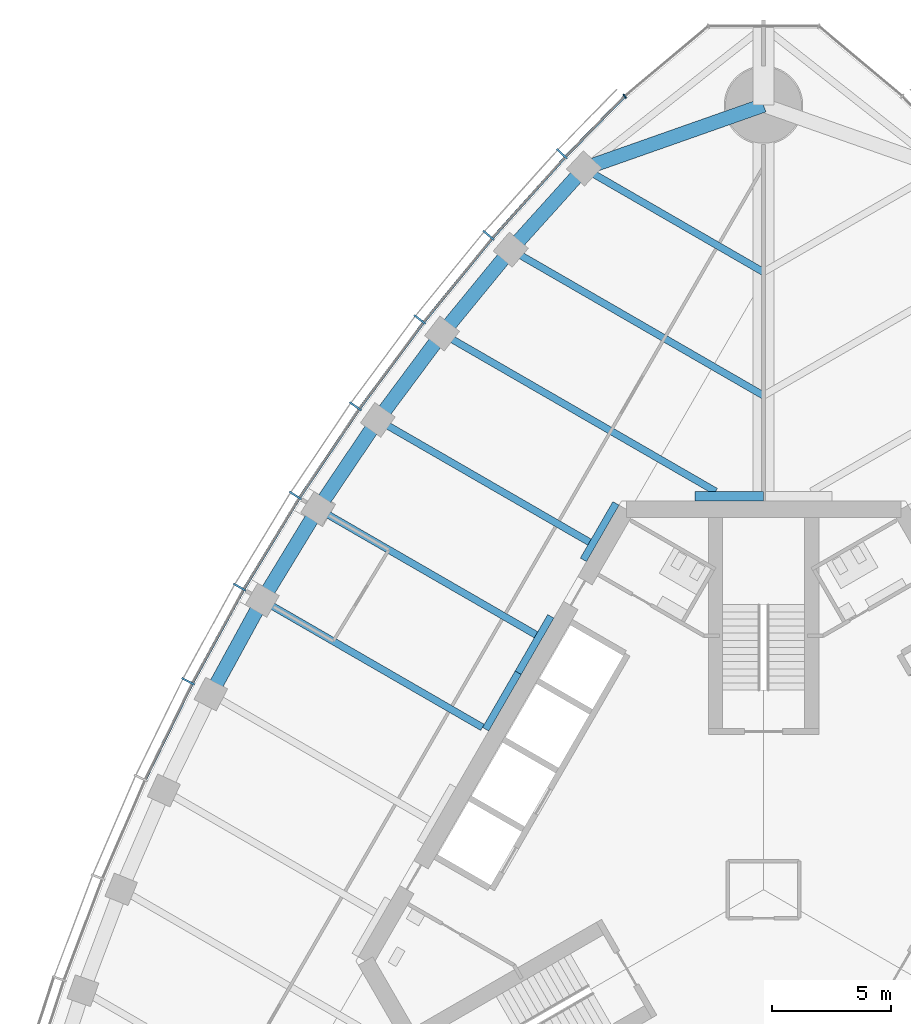
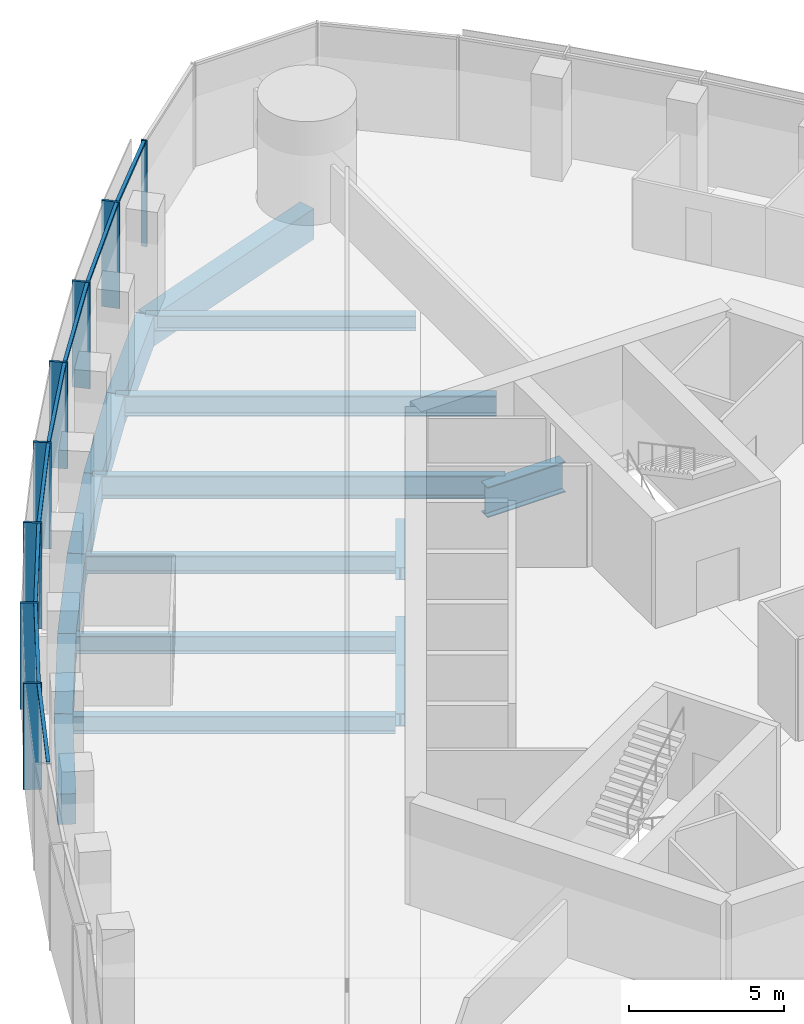
# One storey, part 5 of 20: 17 beams, 16 members, 2 elements without a shape of their own.
"""IFC4 building model written with IfcOpenShell, lengths in metres."""

import ifcopenshell
import ifcopenshell.guid

model = None  # the IFC model being written
_history = None  # IfcOwnerHistory: only IFC2X3 demands one
_inside = {}  # id of a spatial element -> (the spatial element, [elements in it])
_under = {}  # id of a project, library or spatial element -> (it, [spatial elements below it])
_declared = {}  # id of a project -> (the project, [libraries it declares])
_typed = {}  # id of a type object -> (the type object, [elements of that type])
_made_of = {}  # id of a material, layer set ... -> (it, [elements and type objects made of it])


def new_model(schema):
    """Start an empty IFC model of exactly this schema.

    Asked for "IFC4X3", IfcOpenShell would pick the latest addendum, in which some entities
    have other attributes; the version numbers below select the first issue.
    IFC2X3 requires an IfcOwnerHistory on every rooted entity: one is made here for all.
    """
    global model, _history
    if schema == "IFC4X3":
        model = ifcopenshell.file(schema_version=(4, 3, 0, 0))
    else:
        model = ifcopenshell.file(schema=schema)
    _inside.clear()
    _under.clear()
    _declared.clear()
    _typed.clear()
    _made_of.clear()
    _history = None
    if model.schema == "IFC2X3":
        org = make("IfcOrganization", Name="unknown")
        user = make(
            "IfcPersonAndOrganization",
            ThePerson=make("IfcPerson", FamilyName="unknown"),
            TheOrganization=org,
        )
        app = make(
            "IfcApplication",
            ApplicationDeveloper=org,
            Version="unknown",
            ApplicationFullName="unknown",
            ApplicationIdentifier="unknown",
        )
        _history = make(
            "IfcOwnerHistory",
            OwningUser=user,
            OwningApplication=app,
            ChangeAction="ADDED",
            CreationDate=0,
        )
    return model


def make(cls, **values):
    """One entity of the class cls with the attributes given. An attribute that is None is left unset."""
    return model.create_entity(
        cls, **{name: value for name, value in values.items() if value is not None}
    )


def rooted(cls, **values):
    """An entity with a GlobalId (a new one), such as an element, a storey or a relation."""
    return make(cls, GlobalId=ifcopenshell.guid.new(), OwnerHistory=_history, **values)


def si_unit(unit_type, name, prefix=None):
    """IfcSIUnit, for example si_unit("LENGTHUNIT", "METRE", prefix="MILLI")."""
    return make("IfcSIUnit", UnitType=unit_type, Prefix=prefix, Name=name)


def assignment(units):
    """IfcUnitAssignment: the units of a project."""
    return None if units is None else make("IfcUnitAssignment", Units=units)


def point(xyz):
    """IfcCartesianPoint."""
    return None if xyz is None else make("IfcCartesianPoint", Coordinates=xyz)


def direction(xyz):
    """IfcDirection."""
    return None if xyz is None else make("IfcDirection", DirectionRatios=xyz)


def frame(location, z_axis=None, x_axis=None):
    """IfcAxis2Placement3D, a coordinate frame: its origin and axes. An axis left out is left unset."""
    return make(
        "IfcAxis2Placement3D",
        Location=point(location),
        Axis=direction(z_axis),
        RefDirection=direction(x_axis),
    )


def frame_2d(location, x_axis=None):
    """IfcAxis2Placement2D, a coordinate frame in the plane: its origin and x axis."""
    return make(
        "IfcAxis2Placement2D", Location=point(location), RefDirection=direction(x_axis)
    )


def origin():
    """The frame at (0, 0, 0) with its axes left unset."""
    return frame((0.0, 0.0, 0.0))


def origin_2d():
    """The frame at (0, 0) in the plane with its x axis left unset."""
    return frame_2d((0.0, 0.0))


def place(relative_to, where):
    """IfcLocalPlacement: puts the frame where relative to a parent placement (None: the world)."""
    return make(
        "IfcLocalPlacement", PlacementRelTo=relative_to, RelativePlacement=where
    )


def context(
    kind, dimensions, precision=None, world=None, true_north=None, identifier=None
):
    """IfcGeometricRepresentationContext, for example the 3D "Model" context."""
    return make(
        "IfcGeometricRepresentationContext",
        ContextIdentifier=identifier,
        ContextType=kind,
        CoordinateSpaceDimension=dimensions,
        Precision=precision,
        WorldCoordinateSystem=world,
        TrueNorth=true_north,
    )


def subcontext(parent, identifier, kind, view, scale=None):
    """IfcGeometricRepresentationSubContext, for example "Body" below "Model"."""
    return make(
        "IfcGeometricRepresentationSubContext",
        ContextIdentifier=identifier,
        ContextType=kind,
        ParentContext=parent,
        TargetScale=scale,
        TargetView=view,
    )


def project(units=None, contexts=None):
    """IfcProject with its units and contexts."""
    return rooted(
        "IfcProject",
        Name="project",
        RepresentationContexts=contexts,
        UnitsInContext=assignment(units),
    )


def spatial(cls, under=None, at=None, **own):
    """A site, building, storey or space (cls), placed at a placement, below another one or the project."""
    s = rooted(cls, ObjectPlacement=at, **own)
    if under is not None:
        _under.setdefault(under.id(), (under, []))[1].append(s)
    return s


def profile(cls, at=None, kind="AREA", **sizes):
    """A parametric profile (cls). Its sizes go by their IFC names, for example OverallWidth=200.0."""
    return make(cls, ProfileType=kind, Position=at, **sizes)


def rectangle(**sizes):
    """IfcRectangleProfileDef."""
    return profile("IfcRectangleProfileDef", **sizes)


def i_section(**sizes):
    """IfcIShapeProfileDef."""
    return profile("IfcIShapeProfileDef", **sizes)


def extrude(swept, where, along, depth):
    """IfcExtrudedAreaSolid: the profile swept, set in the frame where, extruded along a direction by depth."""
    return make(
        "IfcExtrudedAreaSolid",
        SweptArea=swept,
        Position=where,
        ExtrudedDirection=direction(along),
        Depth=depth,
    )


def shape(context_of_items, identifier, shape_type, items):
    """IfcShapeRepresentation: the items that make up one representation, for example the "Body"."""
    return make(
        "IfcShapeRepresentation",
        ContextOfItems=context_of_items,
        RepresentationIdentifier=identifier,
        RepresentationType=shape_type,
        Items=items,
    )


def material(Name=None, Category=None):
    """IfcMaterial."""
    return make("IfcMaterial", Name=Name, Category=Category)


def material_profile(
    of_material, cross_section, Name=None, Category=None, Priority=None
):
    """IfcMaterialProfile: a cross section and its material."""
    return make(
        "IfcMaterialProfile",
        Name=Name,
        Material=of_material,
        Profile=cross_section,
        Priority=Priority,
        Category=Category,
    )


def profile_set(profiles, Name=None, composite=None):
    """IfcMaterialProfileSet."""
    return make(
        "IfcMaterialProfileSet",
        Name=Name,
        MaterialProfiles=profiles,
        CompositeProfile=composite,
    )


def made_of(thing, what):
    """Note that an element or type object is made of a material, layer set ...; save() writes the relation."""
    if what is not None:
        _made_of.setdefault(what.id(), (what, []))[1].append(thing)
    return thing


def type_object(cls, material=None, **own):
    """A type object (cls), such as IfcWallType, which elements share."""
    return made_of(rooted(cls, **own), material)


def element(
    cls,
    number,
    at=None,
    inside=None,
    cuts=None,
    type_object=None,
    material=None,
    context=None,
    identifier="Body",
    shape_type=None,
    held_by="IfcProductDefinitionShape",
    body=None,
    shapes=None,
    **own,
):
    """One element of the class cls, such as IfcWall. Its Tag is "e" and its number.

    at: its placement. inside: the storey or other place that contains it. cuts: it is an
    opening in that element (IfcRelVoidsElement). A single representation is given by context,
    identifier, shape_type and body (its items); several are given by shapes. held_by: the class
    of the entity that holds the representations. save() writes the other relations.
    """
    e = rooted(cls, Tag="e%d" % number, ObjectPlacement=at, **own)
    if body is not None:
        shapes = [shape(context, identifier, shape_type, body)]
    if shapes is not None:
        e.Representation = make(held_by, Representations=shapes)
    if inside is not None:
        _inside.setdefault(inside.id(), (inside, []))[1].append(e)
    if cuts is not None:
        rooted(
            "IfcRelVoidsElement", RelatingBuildingElement=cuts, RelatedOpeningElement=e
        )
    if type_object is not None:
        _typed.setdefault(type_object.id(), (type_object, []))[1].append(e)
    return made_of(e, material)


def aggregate(whole, parts):
    """IfcRelAggregates: a whole, such as a stair, and the parts it consists of."""
    return rooted("IfcRelAggregates", RelatingObject=whole, RelatedObjects=parts)


def save(model, path):
    """Write the relations noted so far, then the file.

    IfcRelAggregates (storeys below a building ...), IfcRelContainedInSpatialStructure (elements
    in a storey), IfcRelDefinesByType, IfcRelAssociatesMaterial and IfcRelDeclares: one each for
    every whole, place, type object, material and project.
    """
    for whole, parts in _under.values():
        aggregate(whole, parts)
    for where, things in _inside.values():
        rooted(
            "IfcRelContainedInSpatialStructure",
            RelatedElements=things,
            RelatingStructure=where,
        )
    for kind, things in _typed.values():
        rooted("IfcRelDefinesByType", RelatedObjects=things, RelatingType=kind)
    for what, things in _made_of.values():
        rooted("IfcRelAssociatesMaterial", RelatedObjects=things, RelatingMaterial=what)
    for by, libraries in _declared.values():
        rooted("IfcRelDeclares", RelatingContext=by, RelatedDefinitions=libraries)
    model.write(path)


model = new_model("IFC4")

# Units and contexts
model_context = context("Model", 3, precision=1e-05, world=origin(), true_north=direction((0.0, 1.0)))
body_context = subcontext(model_context, "Body", "Model", "MODEL_VIEW")
ifc_project = project(units=[si_unit("LENGTHUNIT", "METRE"), si_unit("AREAUNIT", "SQUARE_METRE"), si_unit("VOLUMEUNIT", "CUBIC_METRE"), si_unit("PLANEANGLEUNIT", "RADIAN"), si_unit("MASSUNIT", "GRAM", prefix="KILO")], contexts=[model_context])

# Site, building, storey
site_placement = place(None, origin())
site = spatial("IfcSite", under=ifc_project, at=site_placement, CompositionType="ELEMENT")
building_placement = place(site_placement, origin())
building = spatial("IfcBuilding", under=site, at=building_placement, Name="Trefoil Bronze Tower", CompositionType="ELEMENT")
storey_placement = place(building_placement, frame((0.0, 0.0, 231.699951171875)))
storey = spatial("IfcBuildingStorey", under=building, at=storey_placement, Name="L53", CompositionType="ELEMENT", Elevation=231.699951171875)

# Curtain wall, members
ifc_material_1 = material(Name="Tinted solar-control glass", Category="glass")
curtain_wall_type_1 = type_object("IfcCurtainWallType", Name="Bronze office curtain wall", PredefinedType="USERDEFINED", material=ifc_material_1)
curtain_wall_1_placement = place(storey_placement, origin())
curtain_wall_1 = element("IfcCurtainWall", 1, at=curtain_wall_1_placement, inside=storey, type_object=curtain_wall_type_1, Name="CW-A L53 F3", ObjectType="CURTAIN WALL", PredefinedType="USERDEFINED")
ifc_material_2 = material(Name="Bronze-finish aluminium", Category="aluminium")
ifc_material_profile_1 = material_profile(ifc_material_2, rectangle(XDim=0.60009765625, YDim=0.080078125, at=origin_2d()), Name="CW-A mullion")
ifc_profile_set_1 = profile_set([ifc_material_profile_1], Name="Bronze-finish aluminium")
member_type_1 = type_object("IfcMemberType", Name="Bronze office curtain wall mullion", PredefinedType="MULLION", material=ifc_profile_set_1)
member_1_placement = place(storey_placement, frame((-8.482177734375, 30.95654296875, 0.0), z_axis=(0.0, 0.0, 1.0), x_axis=(0.729859580661, -0.683597098091, 0.0)))
member_1 = element("IfcMember", 2, at=member_1_placement, type_object=member_type_1, Name="CW-A L53 F3 mullion 2", PredefinedType="MULLION", context=body_context, shape_type="SweptSolid", body=[
    extrude(rectangle(XDim=0.60009765625, YDim=0.080078125, at=origin_2d()), origin(), (0.0, 0.0, 1.0), 4.179931640625),
])
member_2_placement = place(storey_placement, frame((-11.564697265625, 27.525146484375, 0.0), z_axis=(0.0, 0.0, 1.0), x_axis=(0.75935470958, -0.650676897576, 0.0)))
member_2 = element("IfcMember", 3, at=member_2_placement, type_object=member_type_1, Name="CW-A L53 F3 mullion 3", PredefinedType="MULLION", context=body_context, shape_type="SweptSolid", body=[
    extrude(rectangle(XDim=0.60009765625, YDim=0.080078125, at=origin_2d()), origin(), (0.0, 0.0, 1.0), 4.179931640625),
])
member_3_placement = place(storey_placement, frame((-14.45849609375, 23.98388671875, 0.0), z_axis=(0.0, 0.0, 1.0), x_axis=(0.788821461078, -0.614622406476, 0.0)))
member_3 = element("IfcMember", 4, at=member_3_placement, type_object=member_type_1, Name="CW-A L53 F3 mullion 4", PredefinedType="MULLION", context=body_context, shape_type="SweptSolid", body=[
    extrude(rectangle(XDim=0.60009765625, YDim=0.080078125, at=origin_2d()), origin(), (0.0, 0.0, 1.0), 4.179931640625),
])
member_4_placement = place(storey_placement, frame((-17.167236328125, 20.335693359375, 0.0), z_axis=(0.0, 0.0, 1.0), x_axis=(0.81640398396, -0.577481198806, 0.0)))
member_4 = element("IfcMember", 5, at=member_4_placement, type_object=member_type_1, Name="CW-A L53 F3 mullion 5", PredefinedType="MULLION", context=body_context, shape_type="SweptSolid", body=[
    extrude(rectangle(XDim=0.60009765625, YDim=0.080078125, at=origin_2d()), origin(), (0.0, 0.0, 1.0), 4.179931640625),
])
member_5_placement = place(storey_placement, frame((-19.694091796875, 16.58251953125, 0.0), z_axis=(0.0, 0.0, 1.0), x_axis=(0.842132664593, -0.539270410114, 0.0)))
member_5 = element("IfcMember", 6, at=member_5_placement, type_object=member_type_1, Name="CW-A L53 F3 mullion 6", PredefinedType="MULLION", context=body_context, shape_type="SweptSolid", body=[
    extrude(rectangle(XDim=0.60009765625, YDim=0.080078125, at=origin_2d()), origin(), (0.0, 0.0, 1.0), 4.179931640625),
])
member_6_placement = place(storey_placement, frame((-22.041015625, 12.725341796875, 0.0), z_axis=(0.0, 0.0, 1.0), x_axis=(0.866025403784, -0.5, 0.0)))
member_6 = element("IfcMember", 7, at=member_6_placement, type_object=member_type_1, Name="CW-A L53 F3 mullion 7", PredefinedType="MULLION", context=body_context, shape_type="SweptSolid", body=[
    extrude(rectangle(XDim=0.60009765625, YDim=0.080078125, at=origin_2d()), origin(), (0.0, 0.0, 1.0), 4.179931640625),
])
member_7_placement = place(storey_placement, frame((-24.2080078125, 8.764404296875, 0.0), z_axis=(0.0, 0.0, 1.0), x_axis=(0.888088206965, -0.459673075837, 0.0)))
member_7 = element("IfcMember", 8, at=member_7_placement, type_object=member_type_1, Name="CW-A L53 F3 mullion 8", PredefinedType="MULLION", context=body_context, shape_type="SweptSolid", body=[
    extrude(rectangle(XDim=0.60009765625, YDim=0.080078125, at=origin_2d()), origin(), (0.0, 0.0, 1.0), 4.179931640625),
])
ifc_material_3 = material(Name="Bronze-finish aluminium", Category="aluminium")
ifc_material_profile_2 = material_profile(ifc_material_3, rectangle(XDim=0.1201171875, YDim=0.10009765625, at=origin_2d()), Name="CW-A transom")
ifc_profile_set_2 = profile_set([ifc_material_profile_2], Name="Bronze-finish aluminium")
member_type_2 = type_object("IfcMemberType", Name="Bronze office curtain wall transom", PredefinedType="USERDEFINED", material=ifc_profile_set_2)
member_8_placement = place(storey_placement, frame((-5.873046875, 33.342529296875, 4.130126953125), z_axis=(-0.698646935368, -0.715466602785, 0.0), x_axis=(0.715466602785, -0.698646935368, 0.0)))
member_8 = element("IfcMember", 9, at=member_8_placement, type_object=member_type_2, Name="CW-A L53 F3 transom 1", ObjectType="TRANSOM", PredefinedType="USERDEFINED", context=body_context, shape_type="SweptSolid", body=[
    extrude(rectangle(XDim=0.1201171875, YDim=0.10009765625, at=origin_2d()), origin(), (0.0, 0.0, 1.0), 3.483642578125),
])
member_9_placement = place(storey_placement, frame((-8.364501953125, 30.78857421875, 4.130126953125), z_axis=(-0.66825109551, -0.743935799213, 0.0), x_axis=(0.743935799213, -0.66825109551, 0.0)))
member_9 = element("IfcMember", 10, at=member_9_placement, type_object=member_type_2, Name="CW-A L53 F3 transom 2", ObjectType="TRANSOM", PredefinedType="USERDEFINED", context=body_context, shape_type="SweptSolid", body=[
    extrude(rectangle(XDim=0.1201171875, YDim=0.10009765625, at=origin_2d()), origin(), (0.0, 0.0, 1.0), 4.519287109375),
])
member_10_placement = place(storey_placement, frame((-11.439453125, 27.3623046875, 4.130126953125), z_axis=(-0.632756871921, -0.774350528531, 0.0), x_axis=(0.774350528531, -0.632756871921, 0.0)))
member_10 = element("IfcMember", 11, at=member_10_placement, type_object=member_type_2, Name="CW-A L53 F3 transom 3", ObjectType="TRANSOM", PredefinedType="USERDEFINED", context=body_context, shape_type="SweptSolid", body=[
    extrude(rectangle(XDim=0.1201171875, YDim=0.10009765625, at=origin_2d()), origin(), (0.0, 0.0, 1.0), 4.4794921875),
])
member_11_placement = place(storey_placement, frame((-14.325927734375, 23.826904296875, 4.130126953125), z_axis=(-0.59614822717, -0.802874393191, 0.0), x_axis=(0.802874393191, -0.59614822717, 0.0)))
member_11 = element("IfcMember", 12, at=member_11_placement, type_object=member_type_2, Name="CW-A L53 F3 transom 4", ObjectType="TRANSOM", PredefinedType="USERDEFINED", context=body_context, shape_type="SweptSolid", body=[
    extrude(rectangle(XDim=0.1201171875, YDim=0.10009765625, at=origin_2d()), origin(), (0.0, 0.0, 1.0), 4.449951171875),
])
member_12_placement = place(storey_placement, frame((-17.027587890625, 20.18505859375, 4.130126953125), z_axis=(-0.558509087547, -0.829498402125, 0.0), x_axis=(0.829498402125, -0.558509087547, 0.0)))
member_12 = element("IfcMember", 13, at=member_12_placement, type_object=member_type_2, Name="CW-A L53 F3 transom 5", ObjectType="TRANSOM", PredefinedType="USERDEFINED", context=body_context, shape_type="SweptSolid", body=[
    extrude(rectangle(XDim=0.1201171875, YDim=0.10009765625, at=origin_2d()), origin(), (0.0, 0.0, 1.0), 4.4306640625),
])
member_13_placement = place(storey_placement, frame((-19.5478515625, 16.4384765625, 4.130126953125), z_axis=(-0.519740214649, -0.854324358354, 0.0), x_axis=(0.854324358354, -0.519740214649, 0.0)))
member_13 = element("IfcMember", 14, at=member_13_placement, type_object=member_type_2, Name="CW-A L53 F3 transom 6", ObjectType="TRANSOM", PredefinedType="USERDEFINED", context=body_context, shape_type="SweptSolid", body=[
    extrude(rectangle(XDim=0.1201171875, YDim=0.10009765625, at=origin_2d()), origin(), (0.0, 0.0, 1.0), 4.421142578125),
])
member_14_placement = place(storey_placement, frame((-21.887939453125, 12.588134765625, 4.130126953125), z_axis=(-0.479973729071, -0.877282861683, 0.0), x_axis=(0.877282861683, -0.479973729071, 0.0)))
member_14 = element("IfcMember", 15, at=member_14_placement, type_object=member_type_2, Name="CW-A L53 F3 transom 7", ObjectType="TRANSOM", PredefinedType="USERDEFINED", context=body_context, shape_type="SweptSolid", body=[
    extrude(rectangle(XDim=0.1201171875, YDim=0.10009765625, at=origin_2d()), origin(), (0.0, 0.0, 1.0), 4.421142578125),
])
member_15_placement = place(storey_placement, frame((-24.048828125, 8.634521484375, 4.130126953125), z_axis=(-0.439150835991, -0.898413347657, 0.0), x_axis=(0.898413347657, -0.439150835991, 0.0)))
member_15 = element("IfcMember", 16, at=member_15_placement, type_object=member_type_2, Name="CW-A L53 F3 transom 8", ObjectType="TRANSOM", PredefinedType="USERDEFINED", context=body_context, shape_type="SweptSolid", body=[
    extrude(rectangle(XDim=0.1201171875, YDim=0.10009765625, at=origin_2d()), origin(), (0.0, 0.0, 1.0), 4.430908203125),
])
aggregate(curtain_wall_1, [member_1, member_2, member_3, member_4, member_5, member_6, member_7, member_8, member_9, member_10, member_11, member_12, member_13, member_14, member_15])

# Curtain wall, member
ifc_material_4 = material(Name="Tinted solar-control glass", Category="glass")
curtain_wall_type_2 = type_object("IfcCurtainWallType", Name="Bronze rounded corner curtain wall", PredefinedType="USERDEFINED", material=ifc_material_4)
curtain_wall_2_placement = place(storey_placement, origin())
curtain_wall_2 = element("IfcCurtainWall", 17, at=curtain_wall_2_placement, inside=storey, type_object=curtain_wall_type_2, Name="CW-B L53 K2", ObjectType="CURTAIN WALL", PredefinedType="USERDEFINED")
ifc_material_5 = material(Name="Bronze-finish aluminium", Category="aluminium")
ifc_material_profile_3 = material_profile(ifc_material_5, rectangle(XDim=0.199951171875, YDim=0.06005859375, at=origin_2d()), Name="CW-B mullion")
ifc_profile_set_3 = profile_set([ifc_material_profile_3], Name="Bronze-finish aluminium")
member_type_3 = type_object("IfcMemberType", Name="Bronze rounded corner curtain wall mullion", PredefinedType="MULLION", material=ifc_profile_set_3)
member_16_placement = place(storey_placement, frame((-5.837890625, 33.3779296875, 0.0), z_axis=(0.0, 0.0, 1.0), x_axis=(0.642787609687, -0.766044443119, 0.0)))
member_16 = element("IfcMember", 18, at=member_16_placement, type_object=member_type_3, Name="CW-B L53 K2 mullion 4", PredefinedType="MULLION", context=body_context, shape_type="SweptSolid", body=[
    extrude(rectangle(XDim=0.199951171875, YDim=0.06005859375, at=origin_2d()), origin(), (0.0, 0.0, 1.0), 4.179931640625),
])
aggregate(curtain_wall_2, [member_16])

# Beams
ifc_material_6 = material(Name="Steel C355", Category="steel")
ifc_material_profile_4 = material_profile(ifc_material_6, i_section(OverallWidth=0.300048828125, OverallDepth=0.5, WebThickness=0.014404296875, FlangeThickness=0.028076171875, FilletRadius=0.027099609375, at=origin_2d()), Name="HEB 500")
ifc_profile_set_4 = profile_set([ifc_material_profile_4], Name="Steel C355")
beam_type_1 = type_object("IfcBeamType", Name="Core seat beam HEB 500", PredefinedType="BEAM", material=ifc_profile_set_4)
for number, where, z_axis, x_axis, name in (
    (19, (-6.20654296875, 16.25, -0.449951171875), (-0.499969057507, -0.866043267704, 0.0), (0.866043267704, -0.499969057507, 0.0), "Core seat beam F3/-2 L53"),
    (20, (-8.948974609375, 11.5, -0.449951171875), (-0.499969057507, -0.866043267704, 0.0), (0.866043267704, -0.499969057507, 0.0), "Core seat beam F3/-1 L53"),
    (21, (-10.320068359375, 9.125, -0.449951171875), (-0.500035825175, -0.866004719122, 0.0), (0.866004719122, -0.500035825175, 0.0), "Core seat beam F3/+0 L53"),
):
    element("IfcBeam", number, at=place(storey_placement, frame(where, z_axis=z_axis, x_axis=x_axis)), inside=storey, type_object=beam_type_1, Name=name, PredefinedType="BEAM", context=body_context, shape_type="SweptSolid", body=[
        extrude(i_section(OverallWidth=0.300048828125, OverallDepth=0.5, WebThickness=0.014404296875, FlangeThickness=0.028076171875, FilletRadius=0.027099609375, at=origin_2d()), origin(), (0.0, 0.0, 1.0), 2.742431640625),
    ])
ifc_material_7 = material(Name="Steel C355", Category="steel")
ifc_material_profile_5 = material_profile(ifc_material_7, i_section(OverallWidth=0.39990234375, OverallDepth=1.199951171875, WebThickness=0.02001953125, FlangeThickness=0.0400390625, FilletRadius=0.010009765625, at=origin_2d()), Name="WPG 1200")
ifc_profile_set_5 = profile_set([ifc_material_profile_5], Name="Steel C355")
beam_type_2 = type_object("IfcBeamType", Name="Core seat beam WPG 1200", PredefinedType="BEAM", material=ifc_profile_set_5)
beam_1_placement = place(storey_placement, frame((0.0, 16.550048828125, -0.800048828125), z_axis=(-1.0, 0.0, 0.0), x_axis=(0.0, -1.0, 0.0)))
element("IfcBeam", 22, at=beam_1_placement, inside=storey, type_object=beam_type_2, Name="Core seat beam F3/-3 L53", PredefinedType="BEAM", context=body_context, shape_type="SweptSolid", body=[
    extrude(i_section(OverallWidth=0.39990234375, OverallDepth=1.199951171875, WebThickness=0.02001953125, FlangeThickness=0.0400390625, FilletRadius=0.010009765625, at=origin_2d()), origin(), (0.0, 0.0, 1.0), 2.88671875),
])
ifc_material_8 = material(Name="Concrete B80", Category="concrete")
ifc_material_profile_6 = material_profile(ifc_material_8, rectangle(XDim=0.60009765625, YDim=1.199951171875, at=origin_2d()), Name="RC 600x1200")
ifc_profile_set_6 = profile_set([ifc_material_profile_6], Name="Concrete B80")
beam_type_3 = type_object("IfcBeamType", Name="End spandrel beam RC 600x1200", PredefinedType="SPANDREL", material=ifc_profile_set_6)
beam_2_placement = place(storey_placement, frame((0.0, 33.0, -0.800048828125), z_axis=(-0.943234397359, -0.332127794137, 0.0), x_axis=(0.332127794137, -0.943234397359, 0.0)))
element("IfcBeam", 23, at=beam_2_placement, inside=storey, type_object=beam_type_3, Name="Spandrel F3.1 L53", PredefinedType="SPANDREL", context=body_context, shape_type="SweptSolid", body=[
    extrude(rectangle(XDim=0.60009765625, YDim=1.199951171875, at=origin_2d()), origin(), (0.0, 0.0, 1.0), 8.006591796875),
])
ifc_material_9 = material(Name="Steel C355", Category="steel")
ifc_material_profile_7 = material_profile(ifc_material_9, i_section(OverallWidth=0.300048828125, OverallDepth=0.590087890625, WebThickness=0.012939453125, FlangeThickness=0.02490234375, FilletRadius=0.027099609375, at=origin_2d()), Name="HEA 600")
ifc_profile_set_7 = profile_set([ifc_material_profile_7], Name="Steel C355")
beam_type_4 = type_object("IfcBeamType", Name="Floor beam HEA 600", PredefinedType="BEAM", material=ifc_profile_set_7)
beam_3_placement = place(storey_placement, frame((-7.552001953125, 30.3408203125, -0.494873046875), z_axis=(0.866027535932, -0.499996306993, 0.0), x_axis=(0.499996306993, 0.866027535932, 0.0)))
element("IfcBeam", 24, at=beam_3_placement, inside=storey, type_object=beam_type_4, Name="Floor beam F3/-5 L53", PredefinedType="BEAM", context=body_context, shape_type="SweptSolid", body=[
    extrude(i_section(OverallWidth=0.300048828125, OverallDepth=0.590087890625, WebThickness=0.012939453125, FlangeThickness=0.02490234375, FilletRadius=0.027099609375, at=origin_2d()), origin(), (0.0, 0.0, 1.0), 8.72021484375),
])
ifc_material_10 = material(Name="Steel C355", Category="steel")
ifc_material_profile_8 = material_profile(ifc_material_10, i_section(OverallWidth=0.300048828125, OverallDepth=0.699951171875, WebThickness=0.01708984375, FlangeThickness=0.031982421875, FilletRadius=0.027099609375, at=origin_2d()), Name="HEB 700")
ifc_profile_set_8 = profile_set([ifc_material_profile_8], Name="Steel C355")
beam_type_5 = type_object("IfcBeamType", Name="Floor beam HEB 700", PredefinedType="BEAM", material=ifc_profile_set_8)
beam_4_placement = place(storey_placement, frame((-16.2265625, 19.7607421875, -0.550048828125), z_axis=(0.866019527493, -0.500010177898, 0.0), x_axis=(0.500010177898, 0.866019527493, 0.0)))
element("IfcBeam", 25, at=beam_4_placement, inside=storey, type_object=beam_type_5, Name="Floor beam F3/-2 L53", PredefinedType="BEAM", context=body_context, shape_type="SweptSolid", body=[
    extrude(i_section(OverallWidth=0.300048828125, OverallDepth=0.699951171875, WebThickness=0.01708984375, FlangeThickness=0.031982421875, FilletRadius=0.027099609375, at=origin_2d()), origin(), (0.0, 0.0, 1.0), 10.282958984375),
])
beam_5_placement = place(storey_placement, frame((-18.748046875, 16.020263671875, -0.550048828125), z_axis=(0.86602981261, -0.499992363612, 0.0), x_axis=(0.499992363612, 0.86602981261, 0.0)))
element("IfcBeam", 26, at=beam_5_placement, inside=storey, type_object=beam_type_5, Name="Floor beam F3/-1 L53", PredefinedType="BEAM", context=body_context, shape_type="SweptSolid", body=[
    extrude(i_section(OverallWidth=0.300048828125, OverallDepth=0.699951171875, WebThickness=0.01708984375, FlangeThickness=0.031982421875, FilletRadius=0.027099609375, at=origin_2d()), origin(), (0.0, 0.0, 1.0), 10.596435546875),
])
beam_6_placement = place(storey_placement, frame((-21.08837890625, 12.17529296875, -0.550048828125), z_axis=(0.86602601154, -0.499998947334, 0.0), x_axis=(0.499998947334, 0.86602601154, 0.0)))
element("IfcBeam", 27, at=beam_6_placement, inside=storey, type_object=beam_type_5, Name="Floor beam F3/+0 L53", PredefinedType="BEAM", context=body_context, shape_type="SweptSolid", body=[
    extrude(i_section(OverallWidth=0.300048828125, OverallDepth=0.699951171875, WebThickness=0.01708984375, FlangeThickness=0.031982421875, FilletRadius=0.027099609375, at=origin_2d()), origin(), (0.0, 0.0, 1.0), 10.70068359375),
])
ifc_material_11 = material(Name="Steel C355", Category="steel")
ifc_material_profile_9 = material_profile(ifc_material_11, i_section(OverallWidth=0.300048828125, OverallDepth=0.800048828125, WebThickness=0.017578125, FlangeThickness=0.032958984375, FilletRadius=0.030029296875, at=origin_2d()), Name="HEB 800")
ifc_profile_set_9 = profile_set([ifc_material_profile_9], Name="Steel C355")
beam_type_6 = type_object("IfcBeamType", Name="Floor beam HEB 800", PredefinedType="BEAM", material=ifc_profile_set_9)
beam_7_placement = place(storey_placement, frame((-10.632080078125, 26.923095703125, -0.599853515625), z_axis=(0.866025635187, -0.499999599199, 0.0), x_axis=(0.499999599199, 0.866025635187, 0.0)))
element("IfcBeam", 28, at=beam_7_placement, inside=storey, type_object=beam_type_6, Name="Floor beam F3/-4 L53", PredefinedType="BEAM", context=body_context, shape_type="SweptSolid", body=[
    extrude(i_section(OverallWidth=0.300048828125, OverallDepth=0.800048828125, WebThickness=0.017578125, FlangeThickness=0.032958984375, FilletRadius=0.030029296875, at=origin_2d()), origin(), (0.0, 0.0, 1.0), 12.27685546875),
])
ifc_material_12 = material(Name="Steel C355", Category="steel")
ifc_material_profile_10 = material_profile(ifc_material_12, i_section(OverallWidth=0.300048828125, OverallDepth=0.89990234375, WebThickness=0.0185546875, FlangeThickness=0.034912109375, FilletRadius=0.030029296875, at=origin_2d()), Name="HEB 900")
ifc_profile_set_10 = profile_set([ifc_material_profile_10], Name="Steel C355")
beam_type_7 = type_object("IfcBeamType", Name="Floor beam HEB 900", PredefinedType="BEAM", material=ifc_profile_set_10)
beam_8_placement = place(storey_placement, frame((-13.522216796875, 23.3955078125, -0.64990234375), z_axis=(0.866023461342, -0.500003364394, 0.0), x_axis=(0.500003364394, 0.866023461342, 0.0)))
element("IfcBeam", 29, at=beam_8_placement, inside=storey, type_object=beam_type_7, Name="Floor beam F3/-3 L53", PredefinedType="BEAM", context=body_context, shape_type="SweptSolid", body=[
    extrude(i_section(OverallWidth=0.300048828125, OverallDepth=0.89990234375, WebThickness=0.0185546875, FlangeThickness=0.034912109375, FilletRadius=0.030029296875, at=origin_2d()), origin(), (0.0, 0.0, 1.0), 13.291015625),
])
ifc_material_13 = material(Name="Concrete B80", Category="concrete")
ifc_material_profile_11 = material_profile(ifc_material_13, rectangle(XDim=0.60009765625, YDim=1.199951171875, at=origin_2d()), Name="RC 600x1200")
ifc_profile_set_11 = profile_set([ifc_material_profile_11], Name="Concrete B80")
beam_type_8 = type_object("IfcBeamType", Name="Spandrel beam RC 600x1200", PredefinedType="SPANDREL", material=ifc_profile_set_11)
beam_9_placement = place(storey_placement, frame((-7.552001953125, 30.3408203125, -0.800048828125), z_axis=(-0.669460045872, -0.742848064534, 0.0), x_axis=(0.742848064534, -0.669460045872, 0.0)))
element("IfcBeam", 30, at=beam_9_placement, inside=storey, type_object=beam_type_8, Name="Spandrel F3.2 L53", PredefinedType="SPANDREL", context=body_context, shape_type="SweptSolid", body=[
    extrude(rectangle(XDim=0.60009765625, YDim=1.199951171875, at=origin_2d()), origin(), (0.0, 0.0, 1.0), 4.600830078125),
])
beam_10_placement = place(storey_placement, frame((-10.632080078125, 26.923095703125, -0.800048828125), z_axis=(-0.633753657863, -0.773534938542, 0.0), x_axis=(0.773534938542, -0.633753657863, 0.0)))
element("IfcBeam", 31, at=beam_10_placement, inside=storey, type_object=beam_type_8, Name="Spandrel F3.3 L53", PredefinedType="SPANDREL", context=body_context, shape_type="SweptSolid", body=[
    extrude(rectangle(XDim=0.60009765625, YDim=1.199951171875, at=origin_2d()), origin(), (0.0, 0.0, 1.0), 4.560302734375),
])
beam_11_placement = place(storey_placement, frame((-13.522216796875, 23.3955078125, -0.800048828125), z_axis=(-0.596926078257, -0.802296240236, 0.0), x_axis=(0.802296240236, -0.596926078257, 0.0)))
element("IfcBeam", 32, at=beam_11_placement, inside=storey, type_object=beam_type_8, Name="Spandrel F3.4 L53", PredefinedType="SPANDREL", context=body_context, shape_type="SweptSolid", body=[
    extrude(rectangle(XDim=0.60009765625, YDim=1.199951171875, at=origin_2d()), origin(), (0.0, 0.0, 1.0), 4.530517578125),
])
beam_12_placement = place(storey_placement, frame((-16.2265625, 19.7607421875, -0.800048828125), z_axis=(-0.558964302753, -0.829191719838, 0.0), x_axis=(0.829191719838, -0.558964302753, 0.0)))
element("IfcBeam", 33, at=beam_12_placement, inside=storey, type_object=beam_type_8, Name="Spandrel F3.5 L53", PredefinedType="SPANDREL", context=body_context, shape_type="SweptSolid", body=[
    extrude(rectangle(XDim=0.60009765625, YDim=1.199951171875, at=origin_2d()), origin(), (0.0, 0.0, 1.0), 4.510986328125),
])
for number, where, z_axis, x_axis, name in (
    (34, (-18.748046875, 16.020263671875, -0.800048828125), (-0.519933181394, -0.854206934464, 0.0), (0.854206934464, -0.519933181394, 0.0), "Spandrel F3.6 L53"),
    (35, (-21.08837890625, 12.17529296875, -0.800048828125), (-0.479801903802, -0.87737684783, 0.0), (0.87737684783, -0.479801903802, 0.0), "Spandrel F3.7 L53"),
):
    element("IfcBeam", number, at=place(storey_placement, frame(where, z_axis=z_axis, x_axis=x_axis)), inside=storey, type_object=beam_type_8, Name=name, PredefinedType="SPANDREL", context=body_context, shape_type="SweptSolid", body=[
        extrude(rectangle(XDim=0.60009765625, YDim=1.199951171875, at=origin_2d()), origin(), (0.0, 0.0, 1.0), 4.501220703125),
    ])

save(model, "model.ifc")
